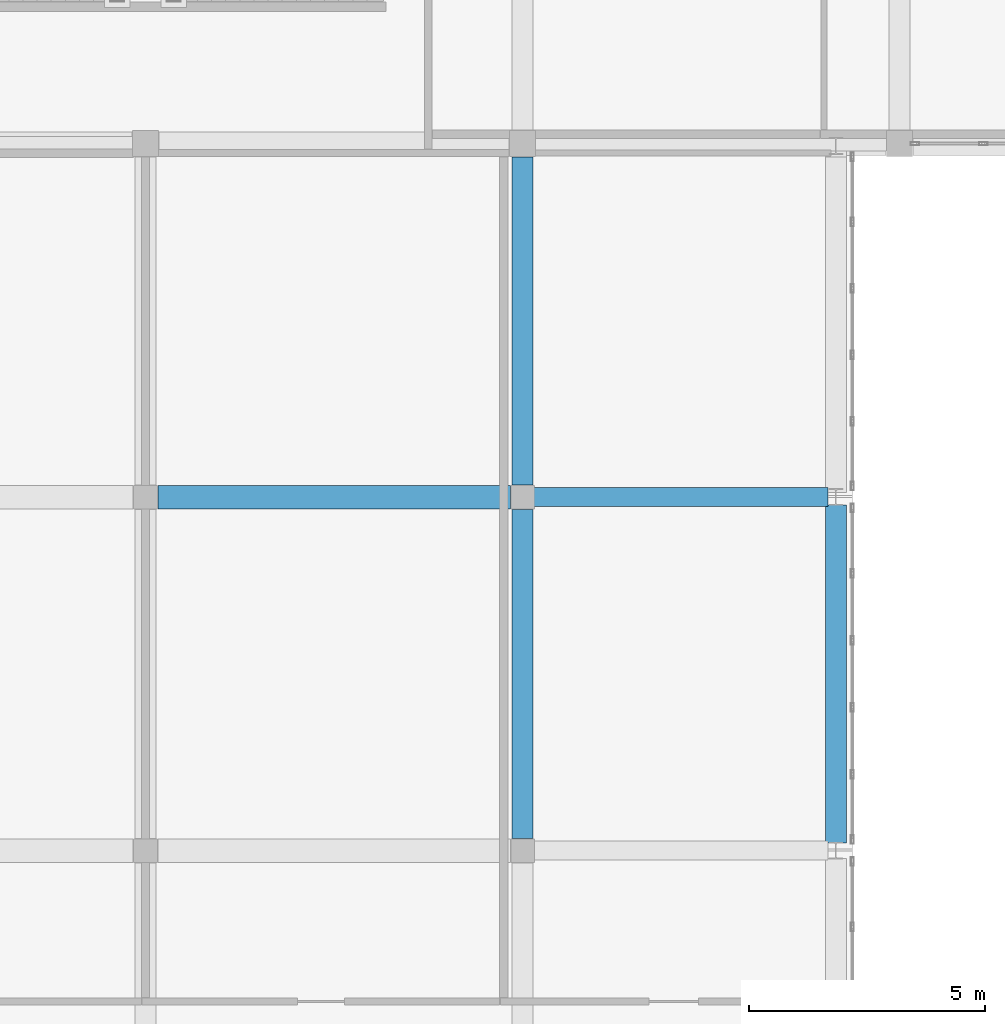
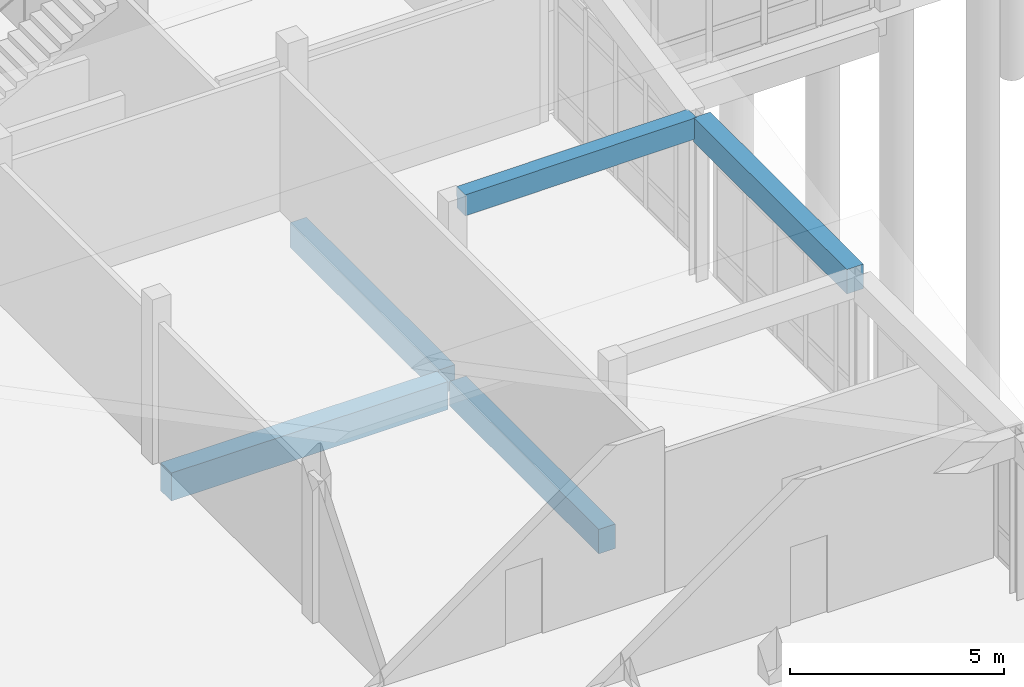
# One storey, part 107 of 173: 5 beams.
"""IFC4 building model written with IfcOpenShell, lengths in metres."""

from ifc_helpers import new_model, si_unit, direction, frame, origin, origin_2d, place, context, subcontext, project, spatial, rectangle, extrude, material, material_profile, profile_set, type_object, element, save


model = new_model("IFC4")

# Units and contexts
model_context = context("Model", 3, precision=1e-05, world=origin(), true_north=direction((0.0, 1.0)))
body_context = subcontext(model_context, "Body", "Model", "MODEL_VIEW")
ifc_project = project(units=[si_unit("LENGTHUNIT", "METRE"), si_unit("AREAUNIT", "SQUARE_METRE"), si_unit("VOLUMEUNIT", "CUBIC_METRE"), si_unit("PLANEANGLEUNIT", "RADIAN"), si_unit("MASSUNIT", "GRAM", prefix="KILO")], contexts=[model_context])

# Site, building, storey
site_placement = place(None, origin())
site = spatial("IfcSite", under=ifc_project, at=site_placement, CompositionType="ELEMENT")
building_placement = place(site_placement, origin())
building = spatial("IfcBuilding", under=site, at=building_placement, Name="Mawjan Specialist Oncology Clinic", CompositionType="ELEMENT")
storey_placement = place(building_placement, origin())
storey = spatial("IfcBuildingStorey", under=building, at=storey_placement, Name="L00", CompositionType="ELEMENT", Elevation=0.0)

# Beams
ifc_material_1 = material(Name="Concrete C40/50", Category="concrete")
ifc_material_profile_1 = material_profile(ifc_material_1, rectangle(XDim=0.39990234375, YDim=0.60009765625, at=origin_2d()), Name="RC BM 400x600", Category="concrete")
ifc_profile_set_1 = profile_set([ifc_material_profile_1], Name="Concrete C40/50")
beam_type_1 = type_object("IfcBeamType", Name="BM-400x600", PredefinedType="BEAM", material=ifc_profile_set_1)
beam_1_placement = place(storey_placement, frame((132.235107421875, 68.300048828125, 4.404052734375), z_axis=(0.999989377, 0.0, 0.004609326035), x_axis=(0.0, 1.0, 0.0)))
element("IfcBeam", 1, at=beam_1_placement, inside=storey, type_object=beam_type_1, Name="L00 Roof Framing Beam BM-RF-L00-1252", PredefinedType="BEAM", context=body_context, shape_type="SweptSolid", body=[
    extrude(rectangle(XDim=0.39990234375, YDim=0.60009765625, at=origin_2d()), origin(), (0.0, 0.0, 1.0), 6.25),
])
ifc_material_2 = material(Name="Concrete C40/50", Category="concrete")
ifc_material_profile_2 = material_profile(ifc_material_2, rectangle(XDim=0.449951171875, YDim=0.699951171875, at=origin_2d()), Name="RC BM 450x700", Category="concrete")
ifc_profile_set_2 = profile_set([ifc_material_profile_2], Name="Concrete C40/50")
beam_type_2 = type_object("IfcBeamType", Name="BM-450x700", PredefinedType="BEAM", material=ifc_profile_set_2)
beam_2_placement = place(storey_placement, frame((132.0, 61.06005859375, -0.77001953125), z_axis=(0.0, 1.0, 0.0), x_axis=(-1.0, 0.0, 0.0)))
element("IfcBeam", 2, at=beam_2_placement, inside=storey, type_object=beam_type_2, Name="L00 Collector Beam BM-L00-0195", PredefinedType="BEAM", context=body_context, shape_type="SweptSolid", body=[
    extrude(rectangle(XDim=0.449951171875, YDim=0.699951171875, at=origin_2d()), origin(), (0.0, 0.0, 1.0), 6.97998046875),
])
beam_3_placement = place(storey_placement, frame((132.0, 68.56005859375, -0.77001953125), z_axis=(0.0, 1.0, 0.0), x_axis=(-1.0, 0.0, 0.0)))
element("IfcBeam", 3, at=beam_3_placement, inside=storey, type_object=beam_type_2, Name="L00 Collector Beam BM-L00-0196", PredefinedType="BEAM", context=body_context, shape_type="SweptSolid", body=[
    extrude(rectangle(XDim=0.449951171875, YDim=0.699951171875, at=origin_2d()), origin(), (0.0, 0.0, 1.0), 6.954833984375),
])
beam_4_placement = place(storey_placement, frame((138.64990234375, 60.965087890625, 4.3828125), z_axis=(0.0, 1.0, 0.0), x_axis=(-1.0, 0.0, 0.0)))
element("IfcBeam", 4, at=beam_4_placement, inside=storey, type_object=beam_type_2, Name="L00 Roof Framing Beam BM-RF-L00-1277", PredefinedType="BEAM", context=body_context, shape_type="SweptSolid", body=[
    extrude(rectangle(XDim=0.449951171875, YDim=0.699951171875, at=origin_2d()), origin(), (0.0, 0.0, 1.0), 7.169921875),
])
ifc_material_3 = material(Name="Concrete C45/55", Category="concrete")
ifc_material_profile_3 = material_profile(ifc_material_3, rectangle(XDim=0.5, YDim=0.800048828125, at=origin_2d()), Name="RC BM 500x800", Category="concrete")
ifc_profile_set_3 = profile_set([ifc_material_profile_3], Name="Concrete C45/55")
beam_type_3 = type_object("IfcBeamType", Name="BM-500x800", PredefinedType="BEAM", material=ifc_profile_set_3)
beam_5_placement = place(storey_placement, frame((124.260009765625, 68.300048828125, -0.820068359375), z_axis=(1.0, 0.0, 0.0), x_axis=(0.0, 1.0, 0.0)))
element("IfcBeam", 5, at=beam_5_placement, inside=storey, type_object=beam_type_3, Name="L00 Collector Beam BM-L00-0006", PredefinedType="BEAM", context=body_context, shape_type="SweptSolid", body=[
    extrude(rectangle(XDim=0.5, YDim=0.800048828125, at=origin_2d()), origin(), (0.0, 0.0, 1.0), 7.47998046875),
])

save(model, "model.ifc")
